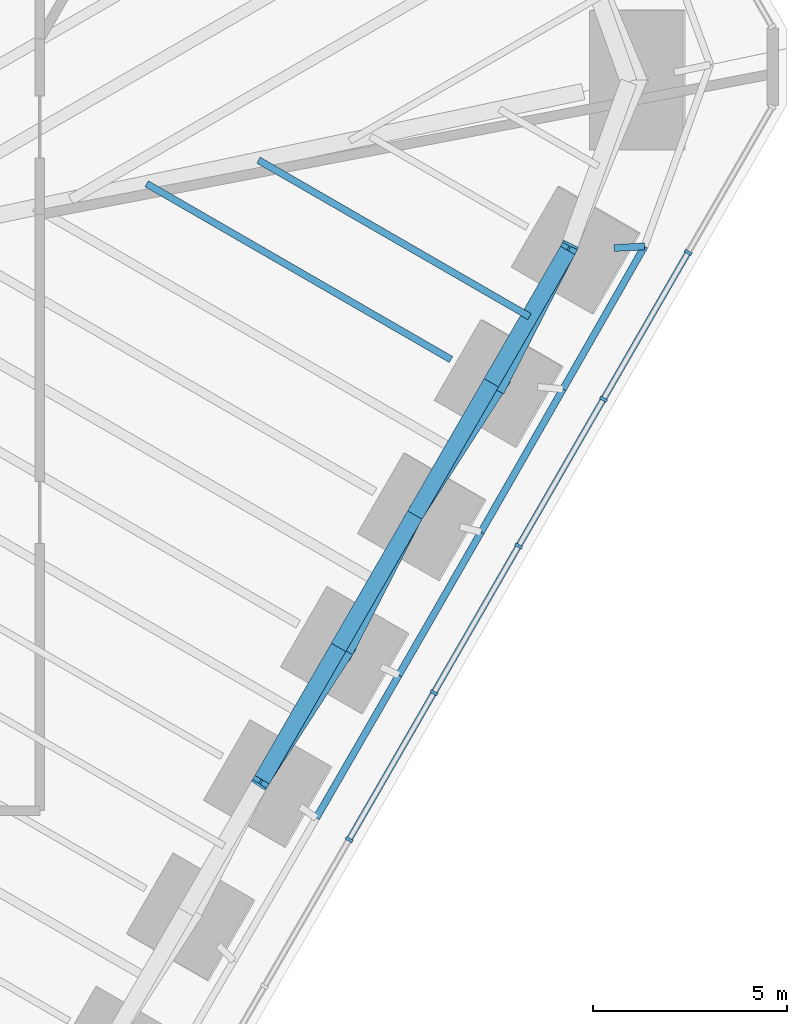
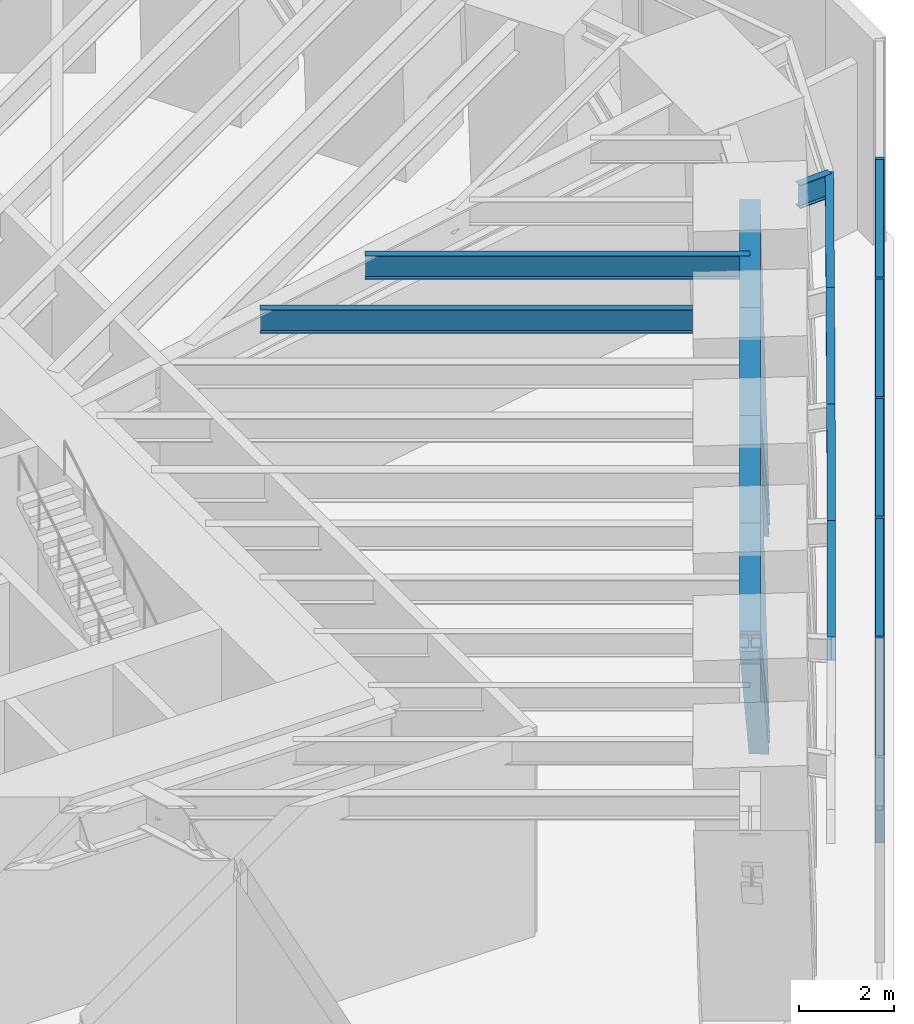
# One storey, part 5 of 13: 13 members, 11 beams, 1 element without a shape of its own.
"""IFC4 building model written with IfcOpenShell, lengths in metres."""

from ifc_helpers import new_model, si_unit, direction, frame, origin, origin_2d, place, context, subcontext, project, spatial, rectangle, i_section, extrude, material, material_profile, profile_set, type_object, element, aggregate, save


model = new_model("IFC4")

# Units and contexts
model_context = context("Model", 3, precision=1e-05, world=origin(), true_north=direction((0.0, 1.0)))
body_context = subcontext(model_context, "Body", "Model", "MODEL_VIEW")
ifc_project = project(units=[si_unit("LENGTHUNIT", "METRE"), si_unit("AREAUNIT", "SQUARE_METRE"), si_unit("VOLUMEUNIT", "CUBIC_METRE"), si_unit("PLANEANGLEUNIT", "RADIAN"), si_unit("MASSUNIT", "GRAM", prefix="KILO")], contexts=[model_context])

# Site, building, storey
site_placement = place(None, origin())
site = spatial("IfcSite", under=ifc_project, at=site_placement, CompositionType="ELEMENT")
building_placement = place(site_placement, origin())
building = spatial("IfcBuilding", under=site, at=building_placement, Name="Sandreach Pilgrim Tower", CompositionType="ELEMENT")
storey_placement = place(building_placement, frame((0.0, 0.0, 91.39990234375)))
storey = spatial("IfcBuildingStorey", under=building, at=storey_placement, Name="L22", CompositionType="ELEMENT", Elevation=91.39990234375)

# Beams
ifc_material_1 = material(Name="Steel ASTM A913 Grade 65", Category="steel")
ifc_material_profile_1 = material_profile(ifc_material_1, i_section(OverallWidth=0.431884765625, OverallDepth=0.497802734375, WebThickness=0.0556640625, FlangeThickness=0.0888671875, at=origin_2d()), Name="W14X500")
ifc_profile_set_1 = profile_set([ifc_material_profile_1], Name="Steel ASTM A913 Grade 65")
beam_type_1 = type_object("IfcBeamType", Name="Belt truss chord W14X500", PredefinedType="BEAM", material=ifc_profile_set_1)
for number, where, z_axis, x_axis, name in (
    (1, (25.283935546875, 1.325439453125, 4.9912109375), (-0.49999779889, -0.866026674592, 0.0), (0.866026674592, -0.49999779889, 0.0), "BM L22 BTT14"),
    (2, (23.31396484375, -2.086669921875, 4.9912109375), (-0.49999779889, -0.866026674592, 0.0), (0.866026674592, -0.49999779889, 0.0), "BM L22 BTT15"),
    (3, (21.343994140625, -5.498779296875, 4.9912109375), (-0.49999779889, -0.866026674592, 0.0), (0.866026674592, -0.49999779889, 0.0), "BM L22 BTT16"),
    (4, (19.3740234375, -8.910888671875, 4.9912109375), (-0.49999779889, -0.866026674592, 0.0), (0.866026674592, -0.49999779889, 0.0), "BM L22 BTT17"),
):
    element("IfcBeam", number, at=place(storey_placement, frame(where, z_axis=z_axis, x_axis=x_axis)), inside=storey, type_object=beam_type_1, Name=name, PredefinedType="BEAM", context=body_context, shape_type="SweptSolid", body=[
        extrude(i_section(OverallWidth=0.431884765625, OverallDepth=0.497802734375, WebThickness=0.0556640625, FlangeThickness=0.0888671875, at=origin_2d()), origin(), (0.0, 0.0, 1.0), 3.93994140625),
    ])

# Members
ifc_material_2 = material(Name="Steel ASTM A913 Grade 65", Category="steel")
ifc_material_profile_2 = material_profile(ifc_material_2, i_section(OverallWidth=0.424072265625, OverallDepth=0.47509765625, WebThickness=0.0478515625, FlangeThickness=0.0771484375, at=origin_2d()), Name="W14X426")
ifc_profile_set_2 = profile_set([ifc_material_profile_2], Name="Steel ASTM A913 Grade 65")
member_type_1 = type_object("IfcMemberType", Name="Belt truss diagonal W14X426", PredefinedType="BRACE", material=ifc_profile_set_2)
member_1_placement = place(storey_placement, frame((25.283935546875, 1.325439453125, 4.9912109375), z_axis=(-0.264129862058, -0.51729264889, -0.814029318498), x_axis=(0.890618915247, -0.454750423643, 0.0)))
element("IfcMember", 5, at=member_1_placement, inside=storey, type_object=member_type_1, Name="Belt truss diagonal L22 bay 14", PredefinedType="BRACE", context=body_context, shape_type="SweptSolid", body=[
    extrude(i_section(OverallWidth=0.424072265625, OverallDepth=0.47509765625, WebThickness=0.0478515625, FlangeThickness=0.0771484375, at=origin_2d()), origin(), (0.0, 0.0, 1.0), 6.6337890625),
])
member_2_placement = place(storey_placement, frame((23.53173828125, -2.106201171875, -0.408935546875), z_axis=(-0.324484732713, -0.503184895188, 0.800946077768), x_axis=(0.840411276685, -0.54194915446, 0.0)))
element("IfcMember", 6, at=member_2_placement, inside=storey, type_object=member_type_1, Name="Belt truss diagonal L22 bay 15", PredefinedType="BRACE", context=body_context, shape_type="SweptSolid", body=[
    extrude(i_section(OverallWidth=0.424072265625, OverallDepth=0.47509765625, WebThickness=0.0478515625, FlangeThickness=0.0771484375, at=origin_2d()), origin(), (0.0, 0.0, 1.0), 6.7421875),
])
member_3_placement = place(storey_placement, frame((21.343994140625, -5.498779296875, 4.9912109375), z_axis=(-0.267951428896, -0.523507178971, -0.808790618961), x_axis=(0.890171929772, -0.455624774839, 0.0)))
element("IfcMember", 7, at=member_3_placement, inside=storey, type_object=member_type_1, Name="Belt truss diagonal L22 bay 16", PredefinedType="BRACE", context=body_context, shape_type="SweptSolid", body=[
    extrude(i_section(OverallWidth=0.424072265625, OverallDepth=0.47509765625, WebThickness=0.0478515625, FlangeThickness=0.0771484375, at=origin_2d()), origin(), (0.0, 0.0, 1.0), 6.6767578125),
])
member_4_placement = place(storey_placement, frame((19.554931640625, -8.994140625, -0.408935546875), z_axis=(-0.321101268032, -0.496959794508, 0.806179222202), x_axis=(0.839925308326, -0.5427020144, 0.0)))
element("IfcMember", 8, at=member_4_placement, inside=storey, type_object=member_type_1, Name="Belt truss diagonal L22 bay 17", PredefinedType="BRACE", context=body_context, shape_type="SweptSolid", body=[
    extrude(i_section(OverallWidth=0.424072265625, OverallDepth=0.47509765625, WebThickness=0.0478515625, FlangeThickness=0.0771484375, at=origin_2d()), origin(), (0.0, 0.0, 1.0), 6.698486328125),
])

# Curtain wall, members
ifc_material_3 = material(Name="Aluminium framed curtain wall", Category="aluminium")
curtain_wall_type = type_object("IfcCurtainWallType", Name="Plant storey louvred curtain wall", PredefinedType="NOTDEFINED", material=ifc_material_3)
curtain_wall_placement = place(storey_placement, origin())
curtain_wall = element("IfcCurtainWall", 9, at=curtain_wall_placement, inside=storey, type_object=curtain_wall_type, Name="CW-L L22 SE", PredefinedType="NOTDEFINED")
ifc_material_4 = material(Name="Aluminium extrusion", Category="aluminium")
ifc_material_profile_3 = material_profile(ifc_material_4, rectangle(XDim=0.080078125, YDim=0.199951171875, at=origin_2d()), Name="CW-LM 80X200")
ifc_profile_set_3 = profile_set([ifc_material_profile_3], Name="Aluminium extrusion")
member_type_2 = type_object("IfcMemberType", Name="CW-L mullion", PredefinedType="MULLION", material=ifc_profile_set_3)
member_5_placement = place(storey_placement, frame((28.390380859375, 1.2763671875, 0.0), z_axis=(0.0, 0.0, 1.0), x_axis=(-0.5, -0.866025403784, 0.0)))
member_5 = element("IfcMember", 10, at=member_5_placement, type_object=member_type_2, Name="CW-L mullion 2", PredefinedType="MULLION", context=body_context, shape_type="SweptSolid", body=[
    extrude(rectangle(XDim=0.080078125, YDim=0.199951171875, at=origin_2d()), origin(), (0.0, 0.0, 1.0), 5.239990234375),
])
member_6_placement = place(storey_placement, frame((26.20458984375, -2.509521484375, 0.0), z_axis=(0.0, 0.0, 1.0), x_axis=(-0.5, -0.866025403784, 0.0)))
member_6 = element("IfcMember", 11, at=member_6_placement, type_object=member_type_2, Name="CW-L mullion 3", PredefinedType="MULLION", context=body_context, shape_type="SweptSolid", body=[
    extrude(rectangle(XDim=0.080078125, YDim=0.199951171875, at=origin_2d()), origin(), (0.0, 0.0, 1.0), 5.239990234375),
])
member_7_placement = place(storey_placement, frame((24.018798828125, -6.29541015625, 0.0), z_axis=(0.0, 0.0, 1.0), x_axis=(-0.5, -0.866025403784, 0.0)))
member_7 = element("IfcMember", 12, at=member_7_placement, type_object=member_type_2, Name="CW-L mullion 4", PredefinedType="MULLION", context=body_context, shape_type="SweptSolid", body=[
    extrude(rectangle(XDim=0.080078125, YDim=0.199951171875, at=origin_2d()), origin(), (0.0, 0.0, 1.0), 5.239990234375),
])
member_8_placement = place(storey_placement, frame((21.8330078125, -10.081298828125, 0.0), z_axis=(0.0, 0.0, 1.0), x_axis=(-0.5, -0.866025403784, 0.0)))
member_8 = element("IfcMember", 13, at=member_8_placement, type_object=member_type_2, Name="CW-L mullion 5", PredefinedType="MULLION", context=body_context, shape_type="SweptSolid", body=[
    extrude(rectangle(XDim=0.080078125, YDim=0.199951171875, at=origin_2d()), origin(), (0.0, 0.0, 1.0), 5.239990234375),
])
member_9_placement = place(storey_placement, frame((19.647216796875, -13.8671875, 0.0), z_axis=(0.0, 0.0, 1.0), x_axis=(-0.5, -0.866025403784, 0.0)))
member_9 = element("IfcMember", 14, at=member_9_placement, type_object=member_type_2, Name="CW-L mullion 6", PredefinedType="MULLION", context=body_context, shape_type="SweptSolid", body=[
    extrude(rectangle(XDim=0.080078125, YDim=0.199951171875, at=origin_2d()), origin(), (0.0, 0.0, 1.0), 5.239990234375),
])
ifc_material_5 = material(Name="Aluminium extrusion", Category="aluminium")
ifc_material_profile_4 = material_profile(ifc_material_5, rectangle(XDim=0.159912109375, YDim=0.070068359375, at=origin_2d()), Name="CW-LT 160X70")
ifc_profile_set_4 = profile_set([ifc_material_profile_4], Name="Aluminium extrusion")
member_type_3 = type_object("IfcMemberType", Name="CW-L transom", PredefinedType="USERDEFINED", material=ifc_profile_set_4)
member_10_placement = place(storey_placement, frame((28.370361328125, 1.24169921875, 5.205078125), z_axis=(-0.49999986569, -0.866025481328, 0.0), x_axis=(0.866025481328, -0.49999986569, 0.0)))
member_10 = element("IfcMember", 15, at=member_10_placement, type_object=member_type_3, Name="CW-L head transom 2", ObjectType="TRANSOM", PredefinedType="USERDEFINED", context=body_context, shape_type="SweptSolid", body=[
    extrude(rectangle(XDim=0.159912109375, YDim=0.070068359375, at=origin_2d()), origin(), (0.0, 0.0, 1.0), 4.29150390625),
])
member_11_placement = place(storey_placement, frame((26.1845703125, -2.544189453125, 5.205078125), z_axis=(-0.499975232926, -0.866039702589, 0.0), x_axis=(0.866039702589, -0.499975232926, 0.0)))
member_11 = element("IfcMember", 16, at=member_11_placement, type_object=member_type_3, Name="CW-L head transom 3", ObjectType="TRANSOM", PredefinedType="USERDEFINED", context=body_context, shape_type="SweptSolid", body=[
    extrude(rectangle(XDim=0.159912109375, YDim=0.070068359375, at=origin_2d()), origin(), (0.0, 0.0, 1.0), 4.291748046875),
])
member_12_placement = place(storey_placement, frame((23.998779296875, -6.330078125, 5.205078125), z_axis=(-0.499975232926, -0.866039702589, 0.0), x_axis=(0.866039702589, -0.499975232926, 0.0)))
member_12 = element("IfcMember", 17, at=member_12_placement, type_object=member_type_3, Name="CW-L head transom 4", ObjectType="TRANSOM", PredefinedType="USERDEFINED", context=body_context, shape_type="SweptSolid", body=[
    extrude(rectangle(XDim=0.159912109375, YDim=0.070068359375, at=origin_2d()), origin(), (0.0, 0.0, 1.0), 4.291748046875),
])
member_13_placement = place(storey_placement, frame((21.81298828125, -10.115966796875, 5.205078125), z_axis=(-0.499975232926, -0.866039702589, 0.0), x_axis=(0.866039702589, -0.499975232926, 0.0)))
member_13 = element("IfcMember", 18, at=member_13_placement, type_object=member_type_3, Name="CW-L head transom 5", ObjectType="TRANSOM", PredefinedType="USERDEFINED", context=body_context, shape_type="SweptSolid", body=[
    extrude(rectangle(XDim=0.159912109375, YDim=0.070068359375, at=origin_2d()), origin(), (0.0, 0.0, 1.0), 4.291748046875),
])
aggregate(curtain_wall, [member_5, member_6, member_7, member_8, member_9, member_10, member_11, member_12, member_13])

# Beams
ifc_material_6 = material(Name="Steel ASTM A992 Grade 50", Category="steel")
ifc_material_profile_5 = material_profile(ifc_material_6, i_section(OverallWidth=0.1787109375, OverallDepth=0.60205078125, WebThickness=0.010986328125, FlangeThickness=0.014892578125, at=origin_2d()), Name="W24X62")
ifc_profile_set_5 = profile_set([ifc_material_profile_5], Name="Steel ASTM A992 Grade 50")
beam_type_2 = type_object("IfcBeamType", Name="Floor beam W24X62", PredefinedType="BEAM", material=ifc_profile_set_5)
beam_1_placement = place(storey_placement, frame((22.274658203125, -1.486572265625, 4.939208984375), z_axis=(-0.866020076177, 0.500009227573, 0.0), x_axis=(-0.500009227573, -0.866020076177, 0.0)))
element("IfcBeam", 19, at=beam_1_placement, inside=storey, type_object=beam_type_2, Name="BM L22 F15", PredefinedType="BEAM", context=body_context, shape_type="SweptSolid", body=[
    extrude(i_section(OverallWidth=0.1787109375, OverallDepth=0.60205078125, WebThickness=0.010986328125, FlangeThickness=0.014892578125, at=origin_2d()), origin(), (0.0, 0.0, 1.0), 9.064208984375),
])
beam_2_placement = place(storey_placement, frame((24.298828125, -0.380615234375, 4.939208984375), z_axis=(-0.866022864518, 0.500004398112, 0.0), x_axis=(-0.500004398112, -0.866022864518, 0.0)))
element("IfcBeam", 20, at=beam_2_placement, inside=storey, type_object=beam_type_2, Name="BM L22 FM14", PredefinedType="BEAM", context=body_context, shape_type="SweptSolid", body=[
    extrude(i_section(OverallWidth=0.1787109375, OverallDepth=0.60205078125, WebThickness=0.010986328125, FlangeThickness=0.014892578125, at=origin_2d()), origin(), (0.0, 0.0, 1.0), 8.0703125),
])
ifc_material_7 = material(Name="Steel ASTM A992 Grade 50", Category="steel")
ifc_material_profile_6 = material_profile(ifc_material_7, i_section(OverallWidth=0.1787109375, OverallDepth=0.60205078125, WebThickness=0.010986328125, FlangeThickness=0.014892578125, at=origin_2d()), Name="W24X62")
ifc_profile_set_6 = profile_set([ifc_material_profile_6], Name="Steel ASTM A992 Grade 50")
beam_type_3 = type_object("IfcBeamType", Name="Setback roof edge beam W24X62", PredefinedType="BEAM", material=ifc_profile_set_6)
beam_3_placement = place(storey_placement, frame((27.26611328125, 1.429443359375, 4.899169921875), z_axis=(-0.496504658299, -0.868034057101, 0.0), x_axis=(0.868034057101, -0.496504658299, 0.0)))
element("IfcBeam", 21, at=beam_3_placement, inside=storey, type_object=beam_type_3, Name="BM L22 RE14", PredefinedType="BEAM", context=body_context, shape_type="SweptSolid", body=[
    extrude(i_section(OverallWidth=0.1787109375, OverallDepth=0.60205078125, WebThickness=0.010986328125, FlangeThickness=0.014892578125, at=origin_2d()), origin(), (0.0, 0.0, 1.0), 4.240966796875),
])
beam_4_placement = place(storey_placement, frame((25.160400390625, -2.251953125, 4.899169921875), z_axis=(-0.497116499805, -0.867683805093, 0.0), x_axis=(0.867683805093, -0.497116499805, 0.0)))
element("IfcBeam", 22, at=beam_4_placement, inside=storey, type_object=beam_type_3, Name="BM L22 RE15", PredefinedType="BEAM", context=body_context, shape_type="SweptSolid", body=[
    extrude(i_section(OverallWidth=0.1787109375, OverallDepth=0.60205078125, WebThickness=0.010986328125, FlangeThickness=0.014892578125, at=origin_2d()), origin(), (0.0, 0.0, 1.0), 4.248046875),
])
beam_5_placement = place(storey_placement, frame((23.048583984375, -5.93798828125, 4.899169921875), z_axis=(-0.498343878302, -0.866979457057, 0.0), x_axis=(0.866979457057, -0.498343878302, 0.0)))
element("IfcBeam", 23, at=beam_5_placement, inside=storey, type_object=beam_type_3, Name="BM L22 RE16", PredefinedType="BEAM", context=body_context, shape_type="SweptSolid", body=[
    extrude(i_section(OverallWidth=0.1787109375, OverallDepth=0.60205078125, WebThickness=0.010986328125, FlangeThickness=0.014892578125, at=origin_2d()), origin(), (0.0, 0.0, 1.0), 4.25390625),
])
beam_6_placement = place(storey_placement, frame((20.9287109375, -9.6259765625, 4.899169921875), z_axis=(-0.500031964507, -0.866006948281, 0.0), x_axis=(0.866006948281, -0.500031964507, 0.0)))
element("IfcBeam", 24, at=beam_6_placement, inside=storey, type_object=beam_type_3, Name="BM L22 RE17", PredefinedType="BEAM", context=body_context, shape_type="SweptSolid", body=[
    extrude(i_section(OverallWidth=0.1787109375, OverallDepth=0.60205078125, WebThickness=0.010986328125, FlangeThickness=0.014892578125, at=origin_2d()), origin(), (0.0, 0.0, 1.0), 4.256103515625),
])
ifc_material_8 = material(Name="Steel ASTM A992 Grade 50", Category="steel")
ifc_material_profile_7 = material_profile(ifc_material_8, i_section(OverallWidth=0.1787109375, OverallDepth=0.60205078125, WebThickness=0.010986328125, FlangeThickness=0.014892578125, at=origin_2d()), Name="W24X62")
ifc_profile_set_7 = profile_set([ifc_material_profile_7], Name="Steel ASTM A992 Grade 50")
beam_type_4 = type_object("IfcBeamType", Name="Setback roof outlooker W24X62", PredefinedType="BEAM", material=ifc_profile_set_7)
beam_7_placement = place(storey_placement, frame((26.482177734375, 1.38818359375, 4.899169921875), z_axis=(0.998617829333, 0.052558833123, 0.0), x_axis=(-0.052558833123, 0.998617829333, 0.0)))
element("IfcBeam", 25, at=beam_7_placement, inside=storey, type_object=beam_type_4, Name="BM L22 OL14", PredefinedType="BEAM", context=body_context, shape_type="SweptSolid", body=[
    extrude(i_section(OverallWidth=0.1787109375, OverallDepth=0.60205078125, WebThickness=0.010986328125, FlangeThickness=0.014892578125, at=origin_2d()), origin(), (0.0, 0.0, 1.0), 0.784912109375),
])

save(model, "model.ifc")
